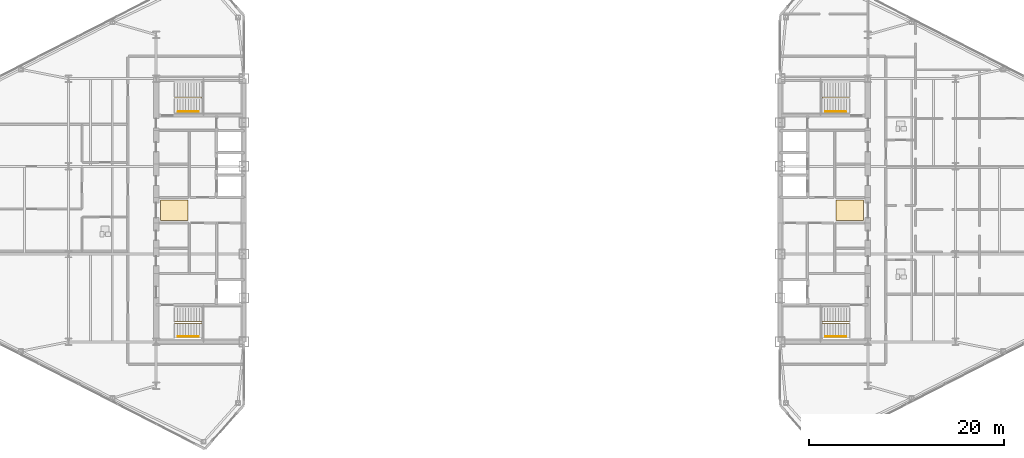
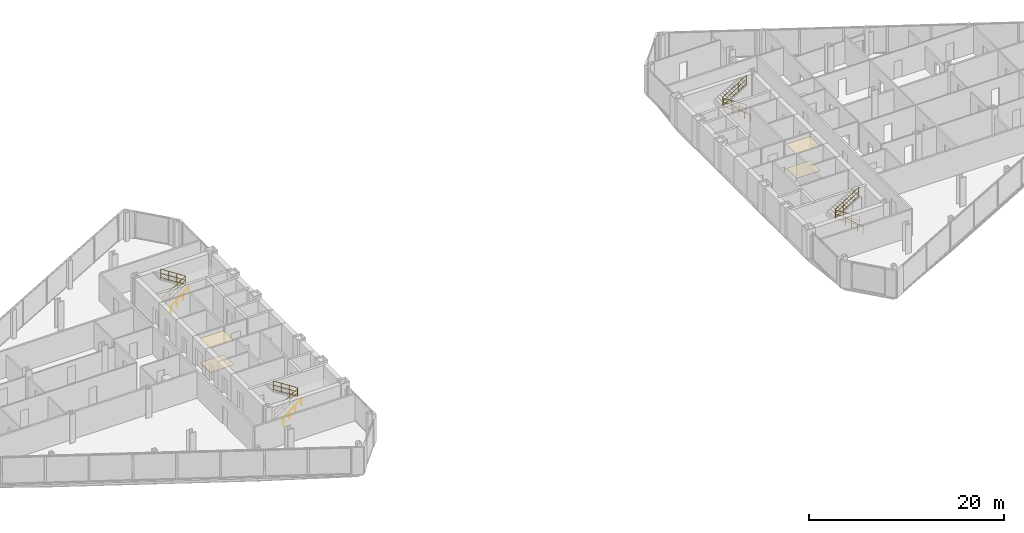
# One storey, part 21 of 22: 8 railings, 4 coverings.
"""IFC4 building model written with IfcOpenShell, lengths in metres."""

from ifc_helpers import new_model, si_unit, direction, frame, origin, origin_2d, place, context, subcontext, project, spatial, polyline, circle, outline, extrude, material, layer, layer_set, type_object, element, save


model = new_model("IFC4")

# Units and contexts
model_context = context("Model", 3, precision=1e-05, world=origin(), true_north=direction((0.0, 1.0)))
body_context = subcontext(model_context, "Body", "Model", "MODEL_VIEW")
ifc_project = project(units=[si_unit("LENGTHUNIT", "METRE"), si_unit("AREAUNIT", "SQUARE_METRE"), si_unit("VOLUMEUNIT", "CUBIC_METRE"), si_unit("PLANEANGLEUNIT", "RADIAN"), si_unit("MASSUNIT", "GRAM", prefix="KILO")], contexts=[model_context])

# Site, building, storey
site_placement = place(None, origin())
site = spatial("IfcSite", under=ifc_project, at=site_placement, CompositionType="ELEMENT")
building_placement = place(site_placement, origin())
building = spatial("IfcBuilding", under=site, at=building_placement, Name="Seokmaru Belvedere", CompositionType="ELEMENT")
storey_placement = place(building_placement, frame((0.0, 0.0, 151.199951171875)))
storey = spatial("IfcBuildingStorey", under=building, at=storey_placement, Name="L40", CompositionType="ELEMENT", Elevation=151.199951171875)

# Coverings
ifc_material_1 = material(Name="Engineered White Oak Timber", Category="wood")
ifc_layer_1 = layer(ifc_material_1, 0.02197265625)
ifc_layer_set_1 = layer_set([ifc_layer_1], Name="Engineered White Oak Timber")
covering_type_1 = type_object("IfcCoveringType", Name="Engineered Oak Residence Floor Finish 22", PredefinedType="FLOORING", material=ifc_layer_set_1)
covering_1_placement = place(storey_placement, origin())
element("IfcCovering", 1, at=covering_1_placement, inside=storey, type_object=covering_type_1, Name="L40 W Foyer Floor Finish", PredefinedType="FLOORING", context=body_context, shape_type="SweptSolid", body=[
    extrude(outline(polyline([(-36.050048828125, -1.050048828125), (-33.25, -1.050048828125), (-33.25, 1.050048828125), (-36.050048828125, 1.050048828125), (-36.050048828125, -1.050048828125)])), origin(), (0.0, 0.0, 1.0), 0.02197265625),
])
covering_2_placement = place(storey_placement, origin())
element("IfcCovering", 2, at=covering_2_placement, inside=storey, type_object=covering_type_1, Name="L40 E Foyer Floor Finish", PredefinedType="FLOORING", context=body_context, shape_type="SweptSolid", body=[
    extrude(outline(polyline([(33.25, -1.050048828125), (36.050048828125, -1.050048828125), (36.050048828125, 1.050048828125), (33.25, 1.050048828125), (33.25, -1.050048828125)])), origin(), (0.0, 0.0, 1.0), 0.02197265625),
])
ifc_material_2 = material(Name="Fire-Rated Gypsum Shaftwall")
ifc_layer_2 = layer(ifc_material_2, 0.02490234375)
ifc_layer_set_2 = layer_set([ifc_layer_2], Name="Fire-Rated Gypsum Shaftwall")
covering_type_2 = type_object("IfcCoveringType", Name="Perforated Acoustic Gypsum Suspended Ceiling 25", PredefinedType="CEILING", material=ifc_layer_set_2)
covering_3_placement = place(storey_placement, frame((0.0, 0.0, 3.030029296875)))
element("IfcCovering", 3, at=covering_3_placement, inside=storey, type_object=covering_type_2, Name="L40 W Lift Foyer Acoustic Ceiling", PredefinedType="CEILING", context=body_context, shape_type="SweptSolid", body=[
    extrude(outline(polyline([(-36.050048828125, -1.050048828125), (-33.25, -1.050048828125), (-33.25, 1.050048828125), (-36.050048828125, 1.050048828125), (-36.050048828125, -1.050048828125)])), origin(), (0.0, 0.0, 1.0), 0.02490234375),
])
covering_4_placement = place(storey_placement, frame((0.0, 0.0, 3.030029296875)))
element("IfcCovering", 4, at=covering_4_placement, inside=storey, type_object=covering_type_2, Name="L40 E Lift Foyer Acoustic Ceiling", PredefinedType="CEILING", context=body_context, shape_type="SweptSolid", body=[
    extrude(outline(polyline([(33.25, -1.050048828125), (36.050048828125, -1.050048828125), (36.050048828125, 1.050048828125), (33.25, 1.050048828125), (33.25, -1.050048828125)])), origin(), (0.0, 0.0, 1.0), 0.02490234375),
])

# Railings
ifc_material_3 = material(Name="Stainless Steel 316", Category="steel")
railing_type_1 = type_object("IfcRailingType", Name="Stainless Steel Wall and Flight Handrail 900", PredefinedType="HANDRAIL", material=ifc_material_3)
for number, where, name in (
    (5, (-34.25, -12.949951171875, 0.0), "L40 Stair ST-W1 Wall Handrail"),
    (6, (-34.25, 10.110107421875, 0.0), "L40 Stair ST-W2 Wall Handrail"),
):
    element("IfcRailing", number, at=place(storey_placement, frame(where)), inside=storey, type_object=railing_type_1, Name=name, PredefinedType="HANDRAIL", context=body_context, shape_type="SweptSolid", body=[
        extrude(circle(Radius=0.02392578125, at=origin_2d()), frame((0.0, 0.0, 0.8759765625), z_axis=(0.759262832861, 0.0, 0.650784104474), x_axis=(0.0, 1.0, 0.0)), (0.0, 0.0, 1.0), 2.765869140625),
        extrude(circle(Radius=0.02099609375, at=origin_2d()), origin(), (0.0, 0.0, 1.0), 0.851806640625),
        extrude(circle(Radius=0.02099609375, at=origin_2d()), frame((0.699951171875, 0.0, 0.60009765625)), (0.0, 0.0, 1.0), 0.851806640625),
        extrude(circle(Radius=0.02099609375, at=origin_2d()), frame((1.400146484375, 0.0, 1.199951171875)), (0.0, 0.0, 1.0), 0.851806640625),
        extrude(circle(Radius=0.02099609375, at=origin_2d()), frame((2.10009765625, 0.0, 1.800048828125)), (0.0, 0.0, 1.0), 0.851806640625),
    ])
for number, where, name in (
    (7, (34.25, -12.949951171875, 0.0), "L40 Stair ST-E1 Wall Handrail"),
    (8, (34.25, 10.110107421875, 0.0), "L40 Stair ST-E2 Wall Handrail"),
):
    element("IfcRailing", number, at=place(storey_placement, frame(where)), inside=storey, type_object=railing_type_1, Name=name, PredefinedType="HANDRAIL", context=body_context, shape_type="SweptSolid", body=[
        extrude(circle(Radius=0.02392578125, at=origin_2d()), frame((0.0, 0.0, 0.8759765625), z_axis=(-0.759262832861, 0.0, 0.650784104474), x_axis=(0.0, -1.0, 0.0)), (0.0, 0.0, 1.0), 2.765869140625),
        extrude(circle(Radius=0.02099609375, at=origin_2d()), origin(), (0.0, 0.0, 1.0), 0.851806640625),
        extrude(circle(Radius=0.02099609375, at=origin_2d()), frame((-0.699951171875, 0.0, 0.60009765625)), (0.0, 0.0, 1.0), 0.851806640625),
        extrude(circle(Radius=0.02099609375, at=origin_2d()), frame((-1.400146484375, 0.0, 1.199951171875)), (0.0, 0.0, 1.0), 0.851806640625),
        extrude(circle(Radius=0.02099609375, at=origin_2d()), frame((-2.10009765625, 0.0, 1.800048828125)), (0.0, 0.0, 1.0), 0.851806640625),
    ])
railing_type_2 = type_object("IfcRailingType", Name="Stair Well and Atrium Steel Guardrail 1200", PredefinedType="GUARDRAIL", material=ifc_material_3)
railing_1_placement = place(storey_placement, frame((-34.60009765625, -11.60009765625, 0.0)))
element("IfcRailing", 9, at=railing_1_placement, inside=storey, type_object=railing_type_2, Name="L40 Stair ST-W1 Inner Well Guardrail", PredefinedType="GUARDRAIL", context=body_context, shape_type="SweptSolid", body=[
    extrude(circle(Radius=0.02392578125, at=origin_2d()), frame((0.0, 0.0, 1.17578125), z_axis=(0.841176092368, 0.0, 0.540761298198), x_axis=(0.0, 1.0, 0.0)), (0.0, 0.0, 1.0), 3.32861328125),
    extrude(circle(Radius=0.02392578125, at=origin_2d()), frame((0.0, 0.0, 0.1201171875), z_axis=(0.841176092368, 0.0, 0.540761298198), x_axis=(0.0, 1.0, 0.0)), (0.0, 0.0, 1.0), 3.32861328125),
    extrude(circle(Radius=0.02392578125, at=origin_2d()), frame((0.0, 0.0, 0.659912109375), z_axis=(0.841176092368, 0.0, 0.540761298198), x_axis=(0.0, 1.0, 0.0)), (0.0, 0.0, 1.0), 3.32861328125),
    extrude(circle(Radius=0.02392578125, at=origin_2d()), frame((2.800048828125, 0.0, 2.97607421875), z_axis=(0.0, 1.0, 0.0), x_axis=(-1.0, 0.0, 0.0)), (0.0, 0.0, 1.0), 0.14013671875),
    extrude(circle(Radius=0.02392578125, at=origin_2d()), frame((2.800048828125, 0.0, 1.920166015625), z_axis=(0.0, 1.0, 0.0), x_axis=(-1.0, 0.0, 0.0)), (0.0, 0.0, 1.0), 0.14013671875),
    extrude(circle(Radius=0.02392578125, at=origin_2d()), frame((2.800048828125, 0.0, 2.4599609375), z_axis=(0.0, 1.0, 0.0), x_axis=(-1.0, 0.0, 0.0)), (0.0, 0.0, 1.0), 0.14013671875),
    extrude(circle(Radius=0.02392578125, at=origin_2d()), frame((2.800048828125, 0.14013671875, 2.97607421875), z_axis=(-0.841176092368, 0.0, 0.540761298198), x_axis=(0.0, -1.0, 0.0)), (0.0, 0.0, 1.0), 3.32861328125),
    extrude(circle(Radius=0.02392578125, at=origin_2d()), frame((2.800048828125, 0.14013671875, 1.920166015625), z_axis=(-0.841176092368, 0.0, 0.540761298198), x_axis=(0.0, -1.0, 0.0)), (0.0, 0.0, 1.0), 3.32861328125),
    extrude(circle(Radius=0.02392578125, at=origin_2d()), frame((2.800048828125, 0.14013671875, 2.4599609375), z_axis=(-0.841176092368, 0.0, 0.540761298198), x_axis=(0.0, -1.0, 0.0)), (0.0, 0.0, 1.0), 3.32861328125),
    extrude(circle(Radius=0.02099609375, at=origin_2d()), origin(), (0.0, 0.0, 1.0), 1.15185546875),
    extrude(circle(Radius=0.02099609375, at=origin_2d()), frame((0.933349609375, 0.0, 0.60009765625)), (0.0, 0.0, 1.0), 1.15185546875),
    extrude(circle(Radius=0.02099609375, at=origin_2d()), frame((1.86669921875, 0.0, 1.199951171875)), (0.0, 0.0, 1.0), 1.15185546875),
    extrude(circle(Radius=0.02099609375, at=origin_2d()), frame((2.800048828125, 0.0, 1.800048828125)), (0.0, 0.0, 1.0), 1.15185546875),
    extrude(circle(Radius=0.02099609375, at=origin_2d()), frame((2.800048828125, 0.14013671875, 1.800048828125)), (0.0, 0.0, 1.0), 1.15185546875),
    extrude(circle(Radius=0.02099609375, at=origin_2d()), frame((1.86669921875, 0.14013671875, 2.400146484375)), (0.0, 0.0, 1.0), 1.15185546875),
    extrude(circle(Radius=0.02099609375, at=origin_2d()), frame((0.933349609375, 0.14013671875, 3.0)), (0.0, 0.0, 1.0), 1.15185546875),
    extrude(circle(Radius=0.02099609375, at=origin_2d()), frame((0.0, 0.14013671875, 3.60009765625)), (0.0, 0.0, 1.0), 1.15185546875),
])
railing_2_placement = place(storey_placement, frame((-34.60009765625, 11.4599609375, 0.0)))
element("IfcRailing", 10, at=railing_2_placement, inside=storey, type_object=railing_type_2, Name="L40 Stair ST-W2 Inner Well Guardrail", PredefinedType="GUARDRAIL", context=body_context, shape_type="SweptSolid", body=[
    extrude(circle(Radius=0.02392578125, at=origin_2d()), frame((0.0, 0.0, 1.17578125), z_axis=(0.841176092368, 0.0, 0.540761298198), x_axis=(0.0, 1.0, 0.0)), (0.0, 0.0, 1.0), 3.32861328125),
    extrude(circle(Radius=0.02392578125, at=origin_2d()), frame((0.0, 0.0, 0.1201171875), z_axis=(0.841176092368, 0.0, 0.540761298198), x_axis=(0.0, 1.0, 0.0)), (0.0, 0.0, 1.0), 3.32861328125),
    extrude(circle(Radius=0.02392578125, at=origin_2d()), frame((0.0, 0.0, 0.659912109375), z_axis=(0.841176092368, 0.0, 0.540761298198), x_axis=(0.0, 1.0, 0.0)), (0.0, 0.0, 1.0), 3.32861328125),
    extrude(circle(Radius=0.02392578125, at=origin_2d()), frame((2.800048828125, 0.0, 2.97607421875), z_axis=(0.0, 1.0, 0.0), x_axis=(-1.0, 0.0, 0.0)), (0.0, 0.0, 1.0), 0.14013671875),
    extrude(circle(Radius=0.02392578125, at=origin_2d()), frame((2.800048828125, 0.0, 1.920166015625), z_axis=(0.0, 1.0, 0.0), x_axis=(-1.0, 0.0, 0.0)), (0.0, 0.0, 1.0), 0.14013671875),
    extrude(circle(Radius=0.02392578125, at=origin_2d()), frame((2.800048828125, 0.0, 2.4599609375), z_axis=(0.0, 1.0, 0.0), x_axis=(-1.0, 0.0, 0.0)), (0.0, 0.0, 1.0), 0.14013671875),
    extrude(circle(Radius=0.02392578125, at=origin_2d()), frame((2.800048828125, 0.14013671875, 2.97607421875), z_axis=(-0.841176092368, 0.0, 0.540761298198), x_axis=(0.0, -1.0, 0.0)), (0.0, 0.0, 1.0), 3.32861328125),
    extrude(circle(Radius=0.02392578125, at=origin_2d()), frame((2.800048828125, 0.14013671875, 1.920166015625), z_axis=(-0.841176092368, 0.0, 0.540761298198), x_axis=(0.0, -1.0, 0.0)), (0.0, 0.0, 1.0), 3.32861328125),
    extrude(circle(Radius=0.02392578125, at=origin_2d()), frame((2.800048828125, 0.14013671875, 2.4599609375), z_axis=(-0.841176092368, 0.0, 0.540761298198), x_axis=(0.0, -1.0, 0.0)), (0.0, 0.0, 1.0), 3.32861328125),
    extrude(circle(Radius=0.02099609375, at=origin_2d()), origin(), (0.0, 0.0, 1.0), 1.15185546875),
    extrude(circle(Radius=0.02099609375, at=origin_2d()), frame((0.933349609375, 0.0, 0.60009765625)), (0.0, 0.0, 1.0), 1.15185546875),
    extrude(circle(Radius=0.02099609375, at=origin_2d()), frame((1.86669921875, 0.0, 1.199951171875)), (0.0, 0.0, 1.0), 1.15185546875),
    extrude(circle(Radius=0.02099609375, at=origin_2d()), frame((2.800048828125, 0.0, 1.800048828125)), (0.0, 0.0, 1.0), 1.15185546875),
    extrude(circle(Radius=0.02099609375, at=origin_2d()), frame((2.800048828125, 0.14013671875, 1.800048828125)), (0.0, 0.0, 1.0), 1.15185546875),
    extrude(circle(Radius=0.02099609375, at=origin_2d()), frame((1.86669921875, 0.14013671875, 2.400146484375)), (0.0, 0.0, 1.0), 1.15185546875),
    extrude(circle(Radius=0.02099609375, at=origin_2d()), frame((0.933349609375, 0.14013671875, 3.0)), (0.0, 0.0, 1.0), 1.15185546875),
    extrude(circle(Radius=0.02099609375, at=origin_2d()), frame((0.0, 0.14013671875, 3.60009765625)), (0.0, 0.0, 1.0), 1.15185546875),
])
railing_3_placement = place(storey_placement, frame((34.60009765625, -11.60009765625, 0.0)))
element("IfcRailing", 11, at=railing_3_placement, inside=storey, type_object=railing_type_2, Name="L40 Stair ST-E1 Inner Well Guardrail", PredefinedType="GUARDRAIL", context=body_context, shape_type="SweptSolid", body=[
    extrude(circle(Radius=0.02392578125, at=origin_2d()), frame((0.0, 0.0, 1.17578125), z_axis=(-0.841176092368, 0.0, 0.540761298198), x_axis=(0.0, -1.0, 0.0)), (0.0, 0.0, 1.0), 3.32861328125),
    extrude(circle(Radius=0.02392578125, at=origin_2d()), frame((0.0, 0.0, 0.1201171875), z_axis=(-0.841176092368, 0.0, 0.540761298198), x_axis=(0.0, -1.0, 0.0)), (0.0, 0.0, 1.0), 3.32861328125),
    extrude(circle(Radius=0.02392578125, at=origin_2d()), frame((0.0, 0.0, 0.659912109375), z_axis=(-0.841176092368, 0.0, 0.540761298198), x_axis=(0.0, -1.0, 0.0)), (0.0, 0.0, 1.0), 3.32861328125),
    extrude(circle(Radius=0.02392578125, at=origin_2d()), frame((-2.800048828125, 0.0, 2.97607421875), z_axis=(0.0, 1.0, 0.0), x_axis=(-1.0, 0.0, 0.0)), (0.0, 0.0, 1.0), 0.14013671875),
    extrude(circle(Radius=0.02392578125, at=origin_2d()), frame((-2.800048828125, 0.0, 1.920166015625), z_axis=(0.0, 1.0, 0.0), x_axis=(-1.0, 0.0, 0.0)), (0.0, 0.0, 1.0), 0.14013671875),
    extrude(circle(Radius=0.02392578125, at=origin_2d()), frame((-2.800048828125, 0.0, 2.4599609375), z_axis=(0.0, 1.0, 0.0), x_axis=(-1.0, 0.0, 0.0)), (0.0, 0.0, 1.0), 0.14013671875),
    extrude(circle(Radius=0.02392578125, at=origin_2d()), frame((-2.800048828125, 0.14013671875, 2.97607421875), z_axis=(0.841176092368, 0.0, 0.540761298198), x_axis=(0.0, 1.0, 0.0)), (0.0, 0.0, 1.0), 3.32861328125),
    extrude(circle(Radius=0.02392578125, at=origin_2d()), frame((-2.800048828125, 0.14013671875, 1.920166015625), z_axis=(0.841176092368, 0.0, 0.540761298198), x_axis=(0.0, 1.0, 0.0)), (0.0, 0.0, 1.0), 3.32861328125),
    extrude(circle(Radius=0.02392578125, at=origin_2d()), frame((-2.800048828125, 0.14013671875, 2.4599609375), z_axis=(0.841176092368, 0.0, 0.540761298198), x_axis=(0.0, 1.0, 0.0)), (0.0, 0.0, 1.0), 3.32861328125),
    extrude(circle(Radius=0.02099609375, at=origin_2d()), origin(), (0.0, 0.0, 1.0), 1.15185546875),
    extrude(circle(Radius=0.02099609375, at=origin_2d()), frame((-0.933349609375, 0.0, 0.60009765625)), (0.0, 0.0, 1.0), 1.15185546875),
    extrude(circle(Radius=0.02099609375, at=origin_2d()), frame((-1.86669921875, 0.0, 1.199951171875)), (0.0, 0.0, 1.0), 1.15185546875),
    extrude(circle(Radius=0.02099609375, at=origin_2d()), frame((-2.800048828125, 0.0, 1.800048828125)), (0.0, 0.0, 1.0), 1.15185546875),
    extrude(circle(Radius=0.02099609375, at=origin_2d()), frame((-2.800048828125, 0.14013671875, 1.800048828125)), (0.0, 0.0, 1.0), 1.15185546875),
    extrude(circle(Radius=0.02099609375, at=origin_2d()), frame((-1.86669921875, 0.14013671875, 2.400146484375)), (0.0, 0.0, 1.0), 1.15185546875),
    extrude(circle(Radius=0.02099609375, at=origin_2d()), frame((-0.933349609375, 0.14013671875, 3.0)), (0.0, 0.0, 1.0), 1.15185546875),
    extrude(circle(Radius=0.02099609375, at=origin_2d()), frame((0.0, 0.14013671875, 3.60009765625)), (0.0, 0.0, 1.0), 1.15185546875),
])
railing_4_placement = place(storey_placement, frame((34.60009765625, 11.4599609375, 0.0)))
element("IfcRailing", 12, at=railing_4_placement, inside=storey, type_object=railing_type_2, Name="L40 Stair ST-E2 Inner Well Guardrail", PredefinedType="GUARDRAIL", context=body_context, shape_type="SweptSolid", body=[
    extrude(circle(Radius=0.02392578125, at=origin_2d()), frame((0.0, 0.0, 1.17578125), z_axis=(-0.841176092368, 0.0, 0.540761298198), x_axis=(0.0, -1.0, 0.0)), (0.0, 0.0, 1.0), 3.32861328125),
    extrude(circle(Radius=0.02392578125, at=origin_2d()), frame((0.0, 0.0, 0.1201171875), z_axis=(-0.841176092368, 0.0, 0.540761298198), x_axis=(0.0, -1.0, 0.0)), (0.0, 0.0, 1.0), 3.32861328125),
    extrude(circle(Radius=0.02392578125, at=origin_2d()), frame((0.0, 0.0, 0.659912109375), z_axis=(-0.841176092368, 0.0, 0.540761298198), x_axis=(0.0, -1.0, 0.0)), (0.0, 0.0, 1.0), 3.32861328125),
    extrude(circle(Radius=0.02392578125, at=origin_2d()), frame((-2.800048828125, 0.0, 2.97607421875), z_axis=(0.0, 1.0, 0.0), x_axis=(-1.0, 0.0, 0.0)), (0.0, 0.0, 1.0), 0.14013671875),
    extrude(circle(Radius=0.02392578125, at=origin_2d()), frame((-2.800048828125, 0.0, 1.920166015625), z_axis=(0.0, 1.0, 0.0), x_axis=(-1.0, 0.0, 0.0)), (0.0, 0.0, 1.0), 0.14013671875),
    extrude(circle(Radius=0.02392578125, at=origin_2d()), frame((-2.800048828125, 0.0, 2.4599609375), z_axis=(0.0, 1.0, 0.0), x_axis=(-1.0, 0.0, 0.0)), (0.0, 0.0, 1.0), 0.14013671875),
    extrude(circle(Radius=0.02392578125, at=origin_2d()), frame((-2.800048828125, 0.14013671875, 2.97607421875), z_axis=(0.841176092368, 0.0, 0.540761298198), x_axis=(0.0, 1.0, 0.0)), (0.0, 0.0, 1.0), 3.32861328125),
    extrude(circle(Radius=0.02392578125, at=origin_2d()), frame((-2.800048828125, 0.14013671875, 1.920166015625), z_axis=(0.841176092368, 0.0, 0.540761298198), x_axis=(0.0, 1.0, 0.0)), (0.0, 0.0, 1.0), 3.32861328125),
    extrude(circle(Radius=0.02392578125, at=origin_2d()), frame((-2.800048828125, 0.14013671875, 2.4599609375), z_axis=(0.841176092368, 0.0, 0.540761298198), x_axis=(0.0, 1.0, 0.0)), (0.0, 0.0, 1.0), 3.32861328125),
    extrude(circle(Radius=0.02099609375, at=origin_2d()), origin(), (0.0, 0.0, 1.0), 1.15185546875),
    extrude(circle(Radius=0.02099609375, at=origin_2d()), frame((-0.933349609375, 0.0, 0.60009765625)), (0.0, 0.0, 1.0), 1.15185546875),
    extrude(circle(Radius=0.02099609375, at=origin_2d()), frame((-1.86669921875, 0.0, 1.199951171875)), (0.0, 0.0, 1.0), 1.15185546875),
    extrude(circle(Radius=0.02099609375, at=origin_2d()), frame((-2.800048828125, 0.0, 1.800048828125)), (0.0, 0.0, 1.0), 1.15185546875),
    extrude(circle(Radius=0.02099609375, at=origin_2d()), frame((-2.800048828125, 0.14013671875, 1.800048828125)), (0.0, 0.0, 1.0), 1.15185546875),
    extrude(circle(Radius=0.02099609375, at=origin_2d()), frame((-1.86669921875, 0.14013671875, 2.400146484375)), (0.0, 0.0, 1.0), 1.15185546875),
    extrude(circle(Radius=0.02099609375, at=origin_2d()), frame((-0.933349609375, 0.14013671875, 3.0)), (0.0, 0.0, 1.0), 1.15185546875),
    extrude(circle(Radius=0.02099609375, at=origin_2d()), frame((0.0, 0.14013671875, 3.60009765625)), (0.0, 0.0, 1.0), 1.15185546875),
])

save(model, "model.ifc")
